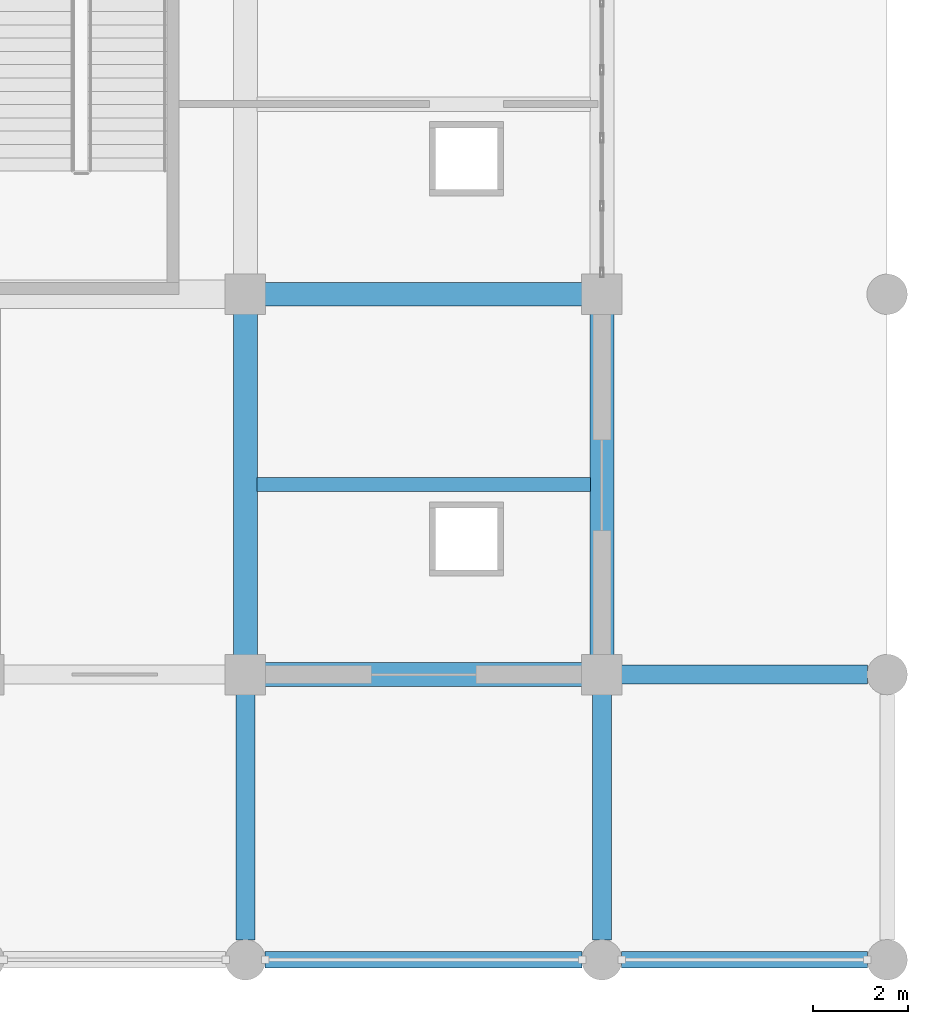
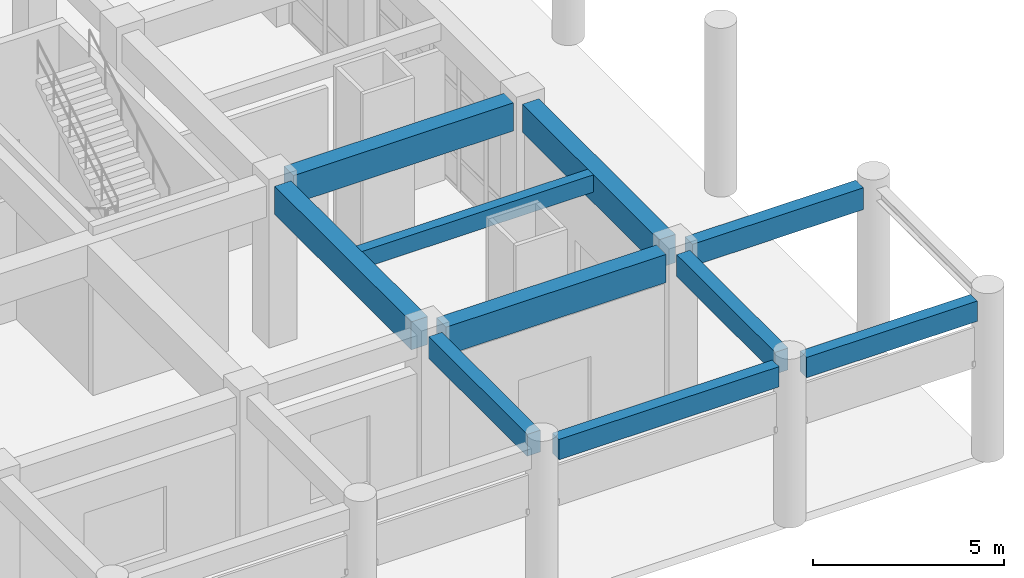
# One storey, part 36 of 84: 10 beams.
"""IFC4 building model written with IfcOpenShell, lengths in metres."""

from ifc_helpers import new_model, si_unit, direction, frame, origin, origin_2d, place, context, subcontext, project, spatial, rectangle, extrude, material, material_profile, profile_set, type_object, element, save


model = new_model("IFC4")

# Units and contexts
model_context = context("Model", 3, precision=1e-05, world=origin(), true_north=direction((0.0, 1.0)))
body_context = subcontext(model_context, "Body", "Model", "MODEL_VIEW")
ifc_project = project(units=[si_unit("LENGTHUNIT", "METRE"), si_unit("AREAUNIT", "SQUARE_METRE"), si_unit("VOLUMEUNIT", "CUBIC_METRE"), si_unit("PLANEANGLEUNIT", "RADIAN"), si_unit("MASSUNIT", "GRAM", prefix="KILO")], contexts=[model_context])

# Site, building, storey
site_placement = place(None, origin())
site = spatial("IfcSite", under=ifc_project, at=site_placement, CompositionType="ELEMENT")
building_placement = place(site_placement, origin())
building = spatial("IfcBuilding", under=site, at=building_placement, Name="Muzn Square Opera House", CompositionType="ELEMENT")
storey_placement = place(building_placement, origin())
storey = spatial("IfcBuildingStorey", under=building, at=storey_placement, Name="L00", CompositionType="ELEMENT", Elevation=0.0)

# Beams
ifc_material = material(Name="Concrete C40/50", Category="concrete")
ifc_material_profile_1 = material_profile(ifc_material, rectangle(XDim=0.300048828125, YDim=0.550048828125, at=origin_2d()), Name="RCJ 300x550", Category="concrete")
ifc_profile_set_1 = profile_set([ifc_material_profile_1], Name="Concrete C40/50")
beam_type_1 = type_object("IfcBeamType", Name="Floor Joist 300x550", PredefinedType="JOIST", material=ifc_profile_set_1)
beam_1_placement = place(storey_placement, frame((162.741943359375, 10.0, 4.844970703125), z_axis=(1.0, 0.0, 0.0), x_axis=(0.0, 1.0, 0.0)))
element("IfcBeam", 1, at=beam_1_placement, inside=storey, type_object=beam_type_1, Name="Floor Joist BM-L00-BM-J550-1627_100_1698_100-1233", PredefinedType="JOIST", context=body_context, shape_type="SweptSolid", body=[
    extrude(rectangle(XDim=0.300048828125, YDim=0.550048828125, at=origin_2d()), origin(), (0.0, 0.0, 1.0), 7.01611328125),
])
ifc_material_profile_2 = material_profile(ifc_material, rectangle(XDim=0.39990234375, YDim=0.699951171875, at=origin_2d()), Name="RCB 400x700", Category="concrete")
ifc_profile_set_2 = profile_set([ifc_material_profile_2], Name="Concrete C40/50")
beam_type_2 = type_object("IfcBeamType", Name="Primary Girder 400x700", PredefinedType="BEAM", material=ifc_profile_set_2)
for number, where, z_axis, x_axis, name in (
    (2, (170.4169921875, 6.0, 4.77001953125), (1.0, 0.0, 0.0), (0.0, 1.0, 0.0), "Primary Girder BM-L00-BM-PG700-1704_60_1756_60-747"),
    (3, (162.5, 0.4169921875, 4.7900390625), (0.0, 1.0, 0.0), (-1.0, 0.0, 0.0), "Primary Girder BM-L00-BM-PG700-1625_4_1625_56-1151"),
    (4, (170.0, 0.4169921875, 4.7900390625), (0.0, 1.0, 0.0), (-1.0, 0.0, 0.0), "Primary Girder BM-L00-BM-PG700-1700_4_1700_56-1165"),
):
    element("IfcBeam", number, at=place(storey_placement, frame(where, z_axis=z_axis, x_axis=x_axis)), inside=storey, type_object=beam_type_2, Name=name, PredefinedType="BEAM", context=body_context, shape_type="SweptSolid", body=[
        extrude(rectangle(XDim=0.39990234375, YDim=0.699951171875, at=origin_2d()), origin(), (0.0, 0.0, 1.0), 5.166015625),
    ])
ifc_material_profile_3 = material_profile(ifc_material, rectangle(XDim=0.5, YDim=0.89990234375, at=origin_2d()), Name="RCB 500x900", Category="concrete")
ifc_profile_set_3 = profile_set([ifc_material_profile_3], Name="Concrete C40/50")
beam_type_3 = type_object("IfcBeamType", Name="Primary Girder 500x900", PredefinedType="BEAM", material=ifc_profile_set_3)
for number, where, z_axis, x_axis, name in (
    (5, (162.9169921875, 6.0, 4.669921875), (1.0, 0.0, 0.0), (0.0, 1.0, 0.0), "Primary Girder BM-L00-BM-PG900-1629_60_1696_60-746"),
    (6, (162.9169921875, 14.0, 4.669921875), (1.0, 0.0, 0.0), (0.0, 1.0, 0.0), "Primary Girder BM-L00-BM-PG900-1629_140_1696_140-755"),
):
    element("IfcBeam", number, at=place(storey_placement, frame(where, z_axis=z_axis, x_axis=x_axis)), inside=storey, type_object=beam_type_3, Name=name, PredefinedType="BEAM", context=body_context, shape_type="SweptSolid", body=[
        extrude(rectangle(XDim=0.5, YDim=0.89990234375, at=origin_2d()), origin(), (0.0, 0.0, 1.0), 6.666015625),
    ])
for number, where, z_axis, x_axis, name in (
    (7, (162.5, 6.4169921875, 4.669921875), (0.0, 1.0, 0.0), (-1.0, 0.0, 0.0), "Primary Girder BM-L00-BM-PG900-1625_64_1625_136-1152"),
    (8, (170.0, 6.4169921875, 4.669921875), (0.0, 1.0, 0.0), (-1.0, 0.0, 0.0), "Primary Girder BM-L00-BM-PG900-1700_64_1700_136-1166"),
):
    element("IfcBeam", number, at=place(storey_placement, frame(where, z_axis=z_axis, x_axis=x_axis)), inside=storey, type_object=beam_type_3, Name=name, PredefinedType="BEAM", context=body_context, shape_type="SweptSolid", body=[
        extrude(rectangle(XDim=0.5, YDim=0.89990234375, at=origin_2d()), origin(), (0.0, 0.0, 1.0), 7.166015625),
    ])
ifc_material_profile_4 = material_profile(ifc_material, rectangle(XDim=0.35009765625, YDim=0.64990234375, at=origin_2d()), Name="RCS 350x650", Category="concrete")
ifc_profile_set_4 = profile_set([ifc_material_profile_4], Name="Concrete C40/50")
beam_type_4 = type_object("IfcBeamType", Name="Spandrel Beam 350x650", PredefinedType="SPANDREL", material=ifc_profile_set_4)
beam_2_placement = place(storey_placement, frame((162.9169921875, 0.0, 4.794921875), z_axis=(1.0, 0.0, 0.0), x_axis=(0.0, 1.0, 0.0)))
element("IfcBeam", 9, at=beam_2_placement, inside=storey, type_object=beam_type_4, Name="Spandrel Beam BM-L00-BM-SP650-1629_0_1696_0-732", PredefinedType="SPANDREL", context=body_context, shape_type="SweptSolid", body=[
    extrude(rectangle(XDim=0.35009765625, YDim=0.64990234375, at=origin_2d()), origin(), (0.0, 0.0, 1.0), 6.666015625),
])
beam_3_placement = place(storey_placement, frame((170.4169921875, 0.0, 4.794921875), z_axis=(1.0, 0.0, 0.0), x_axis=(0.0, 1.0, 0.0)))
element("IfcBeam", 10, at=beam_3_placement, inside=storey, type_object=beam_type_4, Name="Spandrel Beam BM-L00-BM-SP650-1704_0_1756_0-733", PredefinedType="SPANDREL", context=body_context, shape_type="SweptSolid", body=[
    extrude(rectangle(XDim=0.35009765625, YDim=0.64990234375, at=origin_2d()), origin(), (0.0, 0.0, 1.0), 5.166015625),
])

save(model, "model.ifc")
